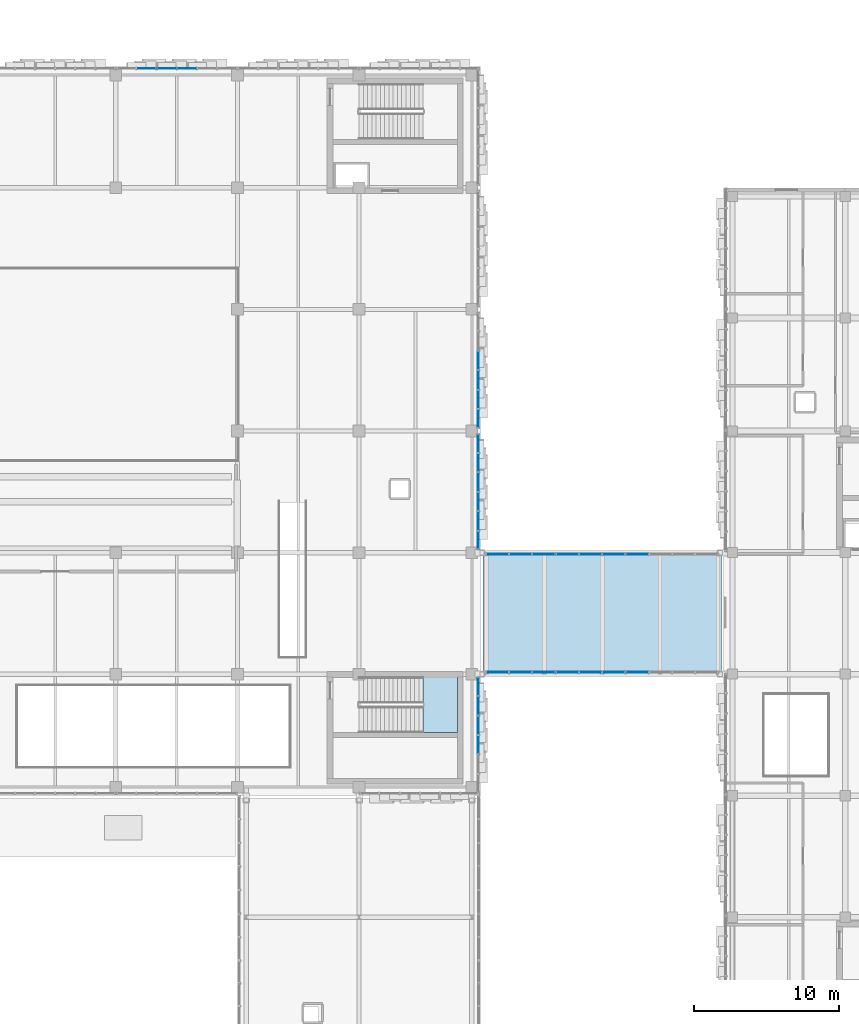
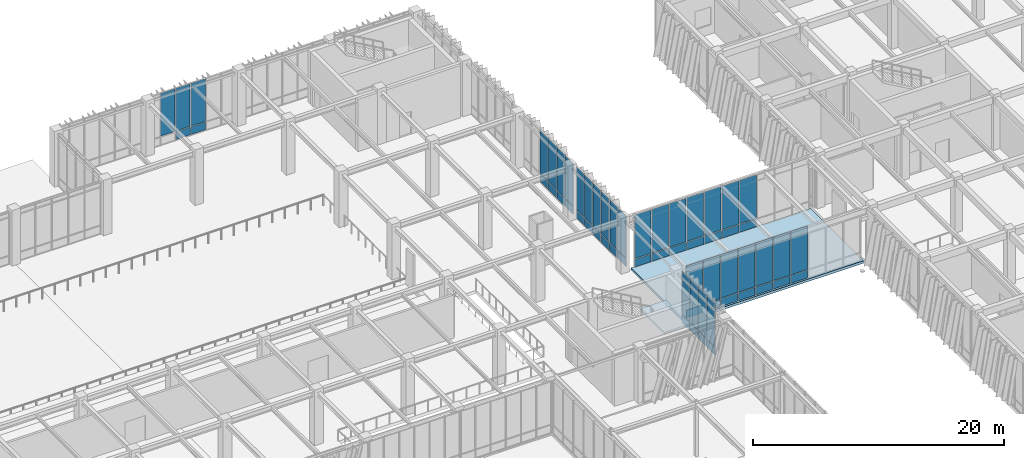
# One storey, part 95 of 139: 61 plates, 2 slabs, 7 elements without a shape of their own.
"""IFC4 building model written with IfcOpenShell, lengths in metres."""

from ifc_helpers import new_model, si_unit, direction, frame, origin, origin_2d, place, context, subcontext, project, spatial, polyline, rectangle, outline, extrude, material, layer, layer_set, type_object, element, aggregate, save


model = new_model("IFC4")

# Units and contexts
model_context = context("Model", 3, precision=1e-05, world=origin(), true_north=direction((0.0, 1.0)))
body_context = subcontext(model_context, "Body", "Model", "MODEL_VIEW")
ifc_project = project(units=[si_unit("LENGTHUNIT", "METRE"), si_unit("AREAUNIT", "SQUARE_METRE"), si_unit("VOLUMEUNIT", "CUBIC_METRE"), si_unit("PLANEANGLEUNIT", "RADIAN"), si_unit("MASSUNIT", "GRAM", prefix="KILO")], contexts=[model_context])

# Site, building, storey
site_placement = place(None, origin())
site = spatial("IfcSite", under=ifc_project, at=site_placement, CompositionType="ELEMENT")
building_placement = place(site_placement, origin())
building = spatial("IfcBuilding", under=site, at=building_placement, Name="Zayran Congress Hotel", CompositionType="ELEMENT")
storey_placement = place(building_placement, frame((0.0, 0.0, 5.39990234375)))
storey = spatial("IfcBuildingStorey", under=building, at=storey_placement, Name="L01", CompositionType="ELEMENT", Elevation=5.39990234375)

# Slab
ifc_material_1 = material(Name="Concrete C40/50", Category="concrete")
ifc_layer_1 = layer(ifc_material_1, 0.25)
ifc_layer_set_1 = layer_set([ifc_layer_1], Name="Concrete C40/50")
slab_type_1 = type_object("IfcSlabType", Name="SL-BR-250", PredefinedType="FLOOR", material=ifc_layer_set_1)
slab_1_placement = place(storey_placement, frame((0.0, 0.0, -0.25)))
element("IfcSlab", 1, at=slab_1_placement, inside=storey, type_object=slab_type_1, Name="North Congress Skybridge Deck Slab L01", PredefinedType="FLOOR", context=body_context, shape_type="SweptSolid", body=[
    extrude(outline(polyline([(92.550048828125, 76.0), (109.050048828125, 76.0), (109.050048828125, 84.39990234375), (92.550048828125, 84.39990234375), (92.550048828125, 76.0)])), origin(), (0.0, 0.0, 1.0), 0.25),
])

# Curtain wall, plates
ifc_material_2 = material(Name="Anodised aluminium and low-E insulated glass", Category="aluminium")
ifc_layer_2 = layer(ifc_material_2, 0.179931640625)
ifc_layer_set_2 = layer_set([ifc_layer_2], Name="Anodised aluminium and low-E insulated glass")
curtain_wall_type_1 = type_object("IfcCurtainWallType", Name="CW-V1N-L01-CW-22-8360-5080", PredefinedType="USERDEFINED", material=ifc_layer_set_2)
curtain_wall_1_placement = place(storey_placement, origin())
curtain_wall_1 = element("IfcCurtainWall", 2, at=curtain_wall_1_placement, inside=storey, type_object=curtain_wall_type_1, Name="CW-V1N-L01-7", ObjectType="CURTAIN WALL", PredefinedType="USERDEFINED")
ifc_layer_3 = layer(ifc_material_2, 0.028076171875)
ifc_layer_set_3 = layer_set([ifc_layer_3], Name="Anodised aluminium and low-E insulated glass")
plate_type_1 = type_object("IfcPlateType", Name="CWP-GL-1273-4150", PredefinedType="CURTAIN_PANEL", material=ifc_layer_set_3)
plate_1_placement = place(storey_placement, frame((72.0966796875, 117.85009765625, 0.8701171875), z_axis=(0.0, 0.0, 1.0), x_axis=(1.0, 0.0, 0.0)))
plate_1 = element("IfcPlate", 3, at=plate_1_placement, type_object=plate_type_1, Name="CW-22 Glazed Panel 3", PredefinedType="CURTAIN_PANEL", context=body_context, shape_type="SweptSolid", body=[
    extrude(rectangle(XDim=1.313232421875, YDim=0.028076171875, at=origin_2d()), origin(), (0.0, 0.0, 1.0), 4.14990234375),
])
plate_2_placement = place(storey_placement, frame((70.703369140625, 117.85009765625, 0.8701171875), z_axis=(0.0, 0.0, 1.0), x_axis=(1.0, 0.0, 0.0)))
plate_2 = element("IfcPlate", 4, at=plate_2_placement, type_object=plate_type_1, Name="CW-22 Glazed Panel 4", PredefinedType="CURTAIN_PANEL", context=body_context, shape_type="SweptSolid", body=[
    extrude(rectangle(XDim=1.313232421875, YDim=0.028076171875, at=origin_2d()), origin(), (0.0, 0.0, 1.0), 4.14990234375),
])
plate_3_placement = place(storey_placement, frame((69.31005859375, 117.85009765625, 0.8701171875), z_axis=(0.0, 0.0, 1.0), x_axis=(1.0, 0.0, 0.0)))
plate_3 = element("IfcPlate", 5, at=plate_3_placement, type_object=plate_type_1, Name="CW-22 Glazed Panel 5", PredefinedType="CURTAIN_PANEL", context=body_context, shape_type="SweptSolid", body=[
    extrude(rectangle(XDim=1.313232421875, YDim=0.028076171875, at=origin_2d()), origin(), (0.0, 0.0, 1.0), 4.14990234375),
])
ifc_material_3 = material(Name="Insulated warm bronze aluminium spandrel panel", Category="aluminium")
ifc_layer_4 = layer(ifc_material_3, 0.06005859375)
ifc_layer_set_4 = layer_set([ifc_layer_4], Name="Insulated warm bronze aluminium spandrel panel")
plate_type_2 = type_object("IfcPlateType", Name="CWP-SP-1273-750", PredefinedType="CURTAIN_PANEL", material=ifc_layer_set_4)
plate_4_placement = place(storey_placement, frame((72.0966796875, 117.85009765625, 0.06005859375), z_axis=(0.0, 0.0, 1.0), x_axis=(1.0, 0.0, 0.0)))
plate_4 = element("IfcPlate", 6, at=plate_4_placement, type_object=plate_type_2, Name="CW-22 Spandrel Panel 3", PredefinedType="CURTAIN_PANEL", context=body_context, shape_type="SweptSolid", body=[
    extrude(rectangle(XDim=1.313232421875, YDim=0.06005859375, at=origin_2d()), origin(), (0.0, 0.0, 1.0), 0.75),
])
plate_5_placement = place(storey_placement, frame((70.703369140625, 117.85009765625, 0.06005859375), z_axis=(0.0, 0.0, 1.0), x_axis=(1.0, 0.0, 0.0)))
plate_5 = element("IfcPlate", 7, at=plate_5_placement, type_object=plate_type_2, Name="CW-22 Spandrel Panel 4", PredefinedType="CURTAIN_PANEL", context=body_context, shape_type="SweptSolid", body=[
    extrude(rectangle(XDim=1.313232421875, YDim=0.06005859375, at=origin_2d()), origin(), (0.0, 0.0, 1.0), 0.75),
])
aggregate(curtain_wall_1, [plate_4, plate_1, plate_5, plate_2, plate_3])

ifc_layer_5 = layer(ifc_material_2, 0.179931640625)
ifc_layer_set_5 = layer_set([ifc_layer_5], Name="Anodised aluminium and low-E insulated glass")
curtain_wall_type_2 = type_object("IfcCurtainWallType", Name="CW-V1E-L01-CW-41-8040-5080", PredefinedType="USERDEFINED", material=ifc_layer_set_5)
curtain_wall_2_placement = place(storey_placement, origin())
curtain_wall_2 = element("IfcCurtainWall", 8, at=curtain_wall_2_placement, inside=storey, type_object=curtain_wall_type_2, Name="CW-V1E-L01-0", ObjectType="CURTAIN WALL", PredefinedType="USERDEFINED")
ifc_layer_6 = layer(ifc_material_2, 0.028076171875)
ifc_layer_set_6 = layer_set([ifc_layer_6], Name="Anodised aluminium and low-E insulated glass")
plate_type_3 = type_object("IfcPlateType", Name="CWP-GL-1220-4150", PredefinedType="CURTAIN_PANEL", material=ifc_layer_set_6)
plate_6_placement = place(storey_placement, frame((92.25, 71.1298828125, 0.8701171875), z_axis=(0.0, 0.0, 1.0), x_axis=(0.0, 1.0, 0.0)))
plate_6 = element("IfcPlate", 9, at=plate_6_placement, type_object=plate_type_3, Name="CW-41 Glazed Panel 3", PredefinedType="CURTAIN_PANEL", context=body_context, shape_type="SweptSolid", body=[
    extrude(rectangle(XDim=1.260009765625, YDim=0.028076171875, at=origin_2d()), origin(), (0.0, 0.0, 1.0), 4.14990234375),
])
plate_7_placement = place(storey_placement, frame((92.25, 72.469970703125, 0.8701171875), z_axis=(0.0, 0.0, 1.0), x_axis=(0.0, 1.0, 0.0)))
plate_7 = element("IfcPlate", 10, at=plate_7_placement, type_object=plate_type_3, Name="CW-41 Glazed Panel 4", PredefinedType="CURTAIN_PANEL", context=body_context, shape_type="SweptSolid", body=[
    extrude(rectangle(XDim=1.260009765625, YDim=0.028076171875, at=origin_2d()), origin(), (0.0, 0.0, 1.0), 4.14990234375),
])
plate_8_placement = place(storey_placement, frame((92.25, 73.81005859375, 0.8701171875), z_axis=(0.0, 0.0, 1.0), x_axis=(0.0, 1.0, 0.0)))
plate_8 = element("IfcPlate", 11, at=plate_8_placement, type_object=plate_type_3, Name="CW-41 Glazed Panel 5", PredefinedType="CURTAIN_PANEL", context=body_context, shape_type="SweptSolid", body=[
    extrude(rectangle(XDim=1.260009765625, YDim=0.028076171875, at=origin_2d()), origin(), (0.0, 0.0, 1.0), 4.14990234375),
])
plate_9_placement = place(storey_placement, frame((92.25, 75.1298828125, 0.8701171875), z_axis=(0.0, 0.0, 1.0), x_axis=(0.0, 1.0, 0.0)))
plate_9 = element("IfcPlate", 12, at=plate_9_placement, type_object=plate_type_3, Name="CW-41 Glazed Panel 6", PredefinedType="CURTAIN_PANEL", context=body_context, shape_type="SweptSolid", body=[
    extrude(rectangle(XDim=1.219970703125, YDim=0.028076171875, at=origin_2d()), origin(), (0.0, 0.0, 1.0), 4.14990234375),
])

curtain_wall_3_placement = place(storey_placement, origin())
curtain_wall_3 = element("IfcCurtainWall", 13, at=curtain_wall_3_placement, inside=storey, type_object=curtain_wall_type_2, Name="CW-V1E-L01-2", ObjectType="CURTAIN WALL", PredefinedType="USERDEFINED")
plate_10_placement = place(storey_placement, frame((92.25, 85.27001953125, 0.8701171875), z_axis=(0.0, 0.0, 1.0), x_axis=(0.0, 1.0, 0.0)))
plate_10 = element("IfcPlate", 14, at=plate_10_placement, type_object=plate_type_3, Name="CW-41 Glazed Panel 1", PredefinedType="CURTAIN_PANEL", context=body_context, shape_type="SweptSolid", body=[
    extrude(rectangle(XDim=1.219970703125, YDim=0.028076171875, at=origin_2d()), origin(), (0.0, 0.0, 1.0), 4.14990234375),
])
plate_11_placement = place(storey_placement, frame((92.25, 86.590087890625, 0.8701171875), z_axis=(0.0, 0.0, 1.0), x_axis=(0.0, 1.0, 0.0)))
plate_11 = element("IfcPlate", 15, at=plate_11_placement, type_object=plate_type_3, Name="CW-41 Glazed Panel 2", PredefinedType="CURTAIN_PANEL", context=body_context, shape_type="SweptSolid", body=[
    extrude(rectangle(XDim=1.260009765625, YDim=0.028076171875, at=origin_2d()), origin(), (0.0, 0.0, 1.0), 4.14990234375),
])
plate_12_placement = place(storey_placement, frame((92.25, 87.929931640625, 0.8701171875), z_axis=(0.0, 0.0, 1.0), x_axis=(0.0, 1.0, 0.0)))
plate_12 = element("IfcPlate", 16, at=plate_12_placement, type_object=plate_type_3, Name="CW-41 Glazed Panel 3", PredefinedType="CURTAIN_PANEL", context=body_context, shape_type="SweptSolid", body=[
    extrude(rectangle(XDim=1.260009765625, YDim=0.028076171875, at=origin_2d()), origin(), (0.0, 0.0, 1.0), 4.14990234375),
])
plate_13_placement = place(storey_placement, frame((92.25, 89.27001953125, 0.8701171875), z_axis=(0.0, 0.0, 1.0), x_axis=(0.0, 1.0, 0.0)))
plate_13 = element("IfcPlate", 17, at=plate_13_placement, type_object=plate_type_3, Name="CW-41 Glazed Panel 4", PredefinedType="CURTAIN_PANEL", context=body_context, shape_type="SweptSolid", body=[
    extrude(rectangle(XDim=1.260009765625, YDim=0.028076171875, at=origin_2d()), origin(), (0.0, 0.0, 1.0), 4.14990234375),
])
plate_14_placement = place(storey_placement, frame((92.25, 90.610107421875, 0.8701171875), z_axis=(0.0, 0.0, 1.0), x_axis=(0.0, 1.0, 0.0)))
plate_14 = element("IfcPlate", 18, at=plate_14_placement, type_object=plate_type_3, Name="CW-41 Glazed Panel 5", PredefinedType="CURTAIN_PANEL", context=body_context, shape_type="SweptSolid", body=[
    extrude(rectangle(XDim=1.260009765625, YDim=0.028076171875, at=origin_2d()), origin(), (0.0, 0.0, 1.0), 4.14990234375),
])
plate_15_placement = place(storey_placement, frame((92.25, 91.929931640625, 0.8701171875), z_axis=(0.0, 0.0, 1.0), x_axis=(0.0, 1.0, 0.0)))
plate_15 = element("IfcPlate", 19, at=plate_15_placement, type_object=plate_type_3, Name="CW-41 Glazed Panel 6", PredefinedType="CURTAIN_PANEL", context=body_context, shape_type="SweptSolid", body=[
    extrude(rectangle(XDim=1.219970703125, YDim=0.028076171875, at=origin_2d()), origin(), (0.0, 0.0, 1.0), 4.14990234375),
])

ifc_layer_7 = layer(ifc_material_2, 0.179931640625)
ifc_layer_set_7 = layer_set([ifc_layer_7], Name="Anodised aluminium and low-E insulated glass")
curtain_wall_type_3 = type_object("IfcCurtainWallType", Name="CW-V1E-L01-CW-42-8040-5080", PredefinedType="USERDEFINED", material=ifc_layer_set_7)
curtain_wall_4_placement = place(storey_placement, origin())
curtain_wall_4 = element("IfcCurtainWall", 20, at=curtain_wall_4_placement, inside=storey, type_object=curtain_wall_type_3, Name="CW-V1E-L01-3", ObjectType="CURTAIN WALL", PredefinedType="USERDEFINED")
plate_16_placement = place(storey_placement, frame((92.25, 93.669921875, 0.8701171875), z_axis=(0.0, 0.0, 1.0), x_axis=(0.0, 1.0, 0.0)))
plate_16 = element("IfcPlate", 21, at=plate_16_placement, type_object=plate_type_3, Name="CW-42 Glazed Panel 1", PredefinedType="CURTAIN_PANEL", context=body_context, shape_type="SweptSolid", body=[
    extrude(rectangle(XDim=1.219970703125, YDim=0.028076171875, at=origin_2d()), origin(), (0.0, 0.0, 1.0), 4.14990234375),
])
plate_17_placement = place(storey_placement, frame((92.25, 94.989990234375, 0.8701171875), z_axis=(0.0, 0.0, 1.0), x_axis=(0.0, 1.0, 0.0)))
plate_17 = element("IfcPlate", 22, at=plate_17_placement, type_object=plate_type_3, Name="CW-42 Glazed Panel 2", PredefinedType="CURTAIN_PANEL", context=body_context, shape_type="SweptSolid", body=[
    extrude(rectangle(XDim=1.260009765625, YDim=0.028076171875, at=origin_2d()), origin(), (0.0, 0.0, 1.0), 4.14990234375),
])
plate_18_placement = place(storey_placement, frame((92.25, 96.330078125, 0.8701171875), z_axis=(0.0, 0.0, 1.0), x_axis=(0.0, 1.0, 0.0)))
plate_18 = element("IfcPlate", 23, at=plate_18_placement, type_object=plate_type_3, Name="CW-42 Glazed Panel 3", PredefinedType="CURTAIN_PANEL", context=body_context, shape_type="SweptSolid", body=[
    extrude(rectangle(XDim=1.260009765625, YDim=0.028076171875, at=origin_2d()), origin(), (0.0, 0.0, 1.0), 4.14990234375),
])
plate_19_placement = place(storey_placement, frame((92.25, 97.669921875, 0.8701171875), z_axis=(0.0, 0.0, 1.0), x_axis=(0.0, 1.0, 0.0)))
plate_19 = element("IfcPlate", 24, at=plate_19_placement, type_object=plate_type_3, Name="CW-42 Glazed Panel 4", PredefinedType="CURTAIN_PANEL", context=body_context, shape_type="SweptSolid", body=[
    extrude(rectangle(XDim=1.260009765625, YDim=0.028076171875, at=origin_2d()), origin(), (0.0, 0.0, 1.0), 4.14990234375),
])

# Plate
ifc_layer_8 = layer(ifc_material_3, 0.06005859375)
ifc_layer_set_8 = layer_set([ifc_layer_8], Name="Insulated warm bronze aluminium spandrel panel")
plate_type_4 = type_object("IfcPlateType", Name="CWP-SP-1220-750", PredefinedType="CURTAIN_PANEL", material=ifc_layer_set_8)
plate_20_placement = place(storey_placement, frame((92.25, 71.1298828125, 0.06005859375), z_axis=(0.0, 0.0, 1.0), x_axis=(0.0, 1.0, 0.0)))
plate_20 = element("IfcPlate", 25, at=plate_20_placement, type_object=plate_type_4, Name="CW-41 Spandrel Panel 3", PredefinedType="CURTAIN_PANEL", context=body_context, shape_type="SweptSolid", body=[
    extrude(rectangle(XDim=1.260009765625, YDim=0.06005859375, at=origin_2d()), origin(), (0.0, 0.0, 1.0), 0.75),
])

plate_21_placement = place(storey_placement, frame((92.25, 72.469970703125, 0.06005859375), z_axis=(0.0, 0.0, 1.0), x_axis=(0.0, 1.0, 0.0)))
plate_21 = element("IfcPlate", 26, at=plate_21_placement, type_object=plate_type_4, Name="CW-41 Spandrel Panel 4", PredefinedType="CURTAIN_PANEL", context=body_context, shape_type="SweptSolid", body=[
    extrude(rectangle(XDim=1.260009765625, YDim=0.06005859375, at=origin_2d()), origin(), (0.0, 0.0, 1.0), 0.75),
])

plate_22_placement = place(storey_placement, frame((92.25, 73.81005859375, 0.06005859375), z_axis=(0.0, 0.0, 1.0), x_axis=(0.0, 1.0, 0.0)))
plate_22 = element("IfcPlate", 27, at=plate_22_placement, type_object=plate_type_4, Name="CW-41 Spandrel Panel 5", PredefinedType="CURTAIN_PANEL", context=body_context, shape_type="SweptSolid", body=[
    extrude(rectangle(XDim=1.260009765625, YDim=0.06005859375, at=origin_2d()), origin(), (0.0, 0.0, 1.0), 0.75),
])

plate_23_placement = place(storey_placement, frame((92.25, 75.1298828125, 0.06005859375), z_axis=(0.0, 0.0, 1.0), x_axis=(0.0, 1.0, 0.0)))
plate_23 = element("IfcPlate", 28, at=plate_23_placement, type_object=plate_type_4, Name="CW-41 Spandrel Panel 6", PredefinedType="CURTAIN_PANEL", context=body_context, shape_type="SweptSolid", body=[
    extrude(rectangle(XDim=1.219970703125, YDim=0.06005859375, at=origin_2d()), origin(), (0.0, 0.0, 1.0), 0.75),
])

aggregate(curtain_wall_2, [plate_20, plate_6, plate_21, plate_7, plate_22, plate_8, plate_23, plate_9])

plate_24_placement = place(storey_placement, frame((92.25, 85.27001953125, 0.06005859375), z_axis=(0.0, 0.0, 1.0), x_axis=(0.0, 1.0, 0.0)))
plate_24 = element("IfcPlate", 29, at=plate_24_placement, type_object=plate_type_4, Name="CW-41 Spandrel Panel 1", PredefinedType="CURTAIN_PANEL", context=body_context, shape_type="SweptSolid", body=[
    extrude(rectangle(XDim=1.219970703125, YDim=0.06005859375, at=origin_2d()), origin(), (0.0, 0.0, 1.0), 0.75),
])

plate_25_placement = place(storey_placement, frame((92.25, 86.590087890625, 0.06005859375), z_axis=(0.0, 0.0, 1.0), x_axis=(0.0, 1.0, 0.0)))
plate_25 = element("IfcPlate", 30, at=plate_25_placement, type_object=plate_type_4, Name="CW-41 Spandrel Panel 2", PredefinedType="CURTAIN_PANEL", context=body_context, shape_type="SweptSolid", body=[
    extrude(rectangle(XDim=1.260009765625, YDim=0.06005859375, at=origin_2d()), origin(), (0.0, 0.0, 1.0), 0.75),
])

plate_26_placement = place(storey_placement, frame((92.25, 87.929931640625, 0.06005859375), z_axis=(0.0, 0.0, 1.0), x_axis=(0.0, 1.0, 0.0)))
plate_26 = element("IfcPlate", 31, at=plate_26_placement, type_object=plate_type_4, Name="CW-41 Spandrel Panel 3", PredefinedType="CURTAIN_PANEL", context=body_context, shape_type="SweptSolid", body=[
    extrude(rectangle(XDim=1.260009765625, YDim=0.06005859375, at=origin_2d()), origin(), (0.0, 0.0, 1.0), 0.75),
])

plate_27_placement = place(storey_placement, frame((92.25, 89.27001953125, 0.06005859375), z_axis=(0.0, 0.0, 1.0), x_axis=(0.0, 1.0, 0.0)))
plate_27 = element("IfcPlate", 32, at=plate_27_placement, type_object=plate_type_4, Name="CW-41 Spandrel Panel 4", PredefinedType="CURTAIN_PANEL", context=body_context, shape_type="SweptSolid", body=[
    extrude(rectangle(XDim=1.260009765625, YDim=0.06005859375, at=origin_2d()), origin(), (0.0, 0.0, 1.0), 0.75),
])

plate_28_placement = place(storey_placement, frame((92.25, 90.610107421875, 0.06005859375), z_axis=(0.0, 0.0, 1.0), x_axis=(0.0, 1.0, 0.0)))
plate_28 = element("IfcPlate", 33, at=plate_28_placement, type_object=plate_type_4, Name="CW-41 Spandrel Panel 5", PredefinedType="CURTAIN_PANEL", context=body_context, shape_type="SweptSolid", body=[
    extrude(rectangle(XDim=1.260009765625, YDim=0.06005859375, at=origin_2d()), origin(), (0.0, 0.0, 1.0), 0.75),
])

plate_29_placement = place(storey_placement, frame((92.25, 91.929931640625, 0.06005859375), z_axis=(0.0, 0.0, 1.0), x_axis=(0.0, 1.0, 0.0)))
plate_29 = element("IfcPlate", 34, at=plate_29_placement, type_object=plate_type_4, Name="CW-41 Spandrel Panel 6", PredefinedType="CURTAIN_PANEL", context=body_context, shape_type="SweptSolid", body=[
    extrude(rectangle(XDim=1.219970703125, YDim=0.06005859375, at=origin_2d()), origin(), (0.0, 0.0, 1.0), 0.75),
])

aggregate(curtain_wall_3, [plate_24, plate_10, plate_25, plate_11, plate_26, plate_12, plate_27, plate_13, plate_28, plate_14, plate_29, plate_15])

plate_30_placement = place(storey_placement, frame((92.25, 93.669921875, 0.06005859375), z_axis=(0.0, 0.0, 1.0), x_axis=(0.0, 1.0, 0.0)))
plate_30 = element("IfcPlate", 35, at=plate_30_placement, type_object=plate_type_4, Name="CW-42 Spandrel Panel 1", PredefinedType="CURTAIN_PANEL", context=body_context, shape_type="SweptSolid", body=[
    extrude(rectangle(XDim=1.219970703125, YDim=0.06005859375, at=origin_2d()), origin(), (0.0, 0.0, 1.0), 0.75),
])

plate_31_placement = place(storey_placement, frame((92.25, 94.989990234375, 0.06005859375), z_axis=(0.0, 0.0, 1.0), x_axis=(0.0, 1.0, 0.0)))
plate_31 = element("IfcPlate", 36, at=plate_31_placement, type_object=plate_type_4, Name="CW-42 Spandrel Panel 2", PredefinedType="CURTAIN_PANEL", context=body_context, shape_type="SweptSolid", body=[
    extrude(rectangle(XDim=1.260009765625, YDim=0.06005859375, at=origin_2d()), origin(), (0.0, 0.0, 1.0), 0.75),
])

plate_32_placement = place(storey_placement, frame((92.25, 96.330078125, 0.06005859375), z_axis=(0.0, 0.0, 1.0), x_axis=(0.0, 1.0, 0.0)))
plate_32 = element("IfcPlate", 37, at=plate_32_placement, type_object=plate_type_4, Name="CW-42 Spandrel Panel 3", PredefinedType="CURTAIN_PANEL", context=body_context, shape_type="SweptSolid", body=[
    extrude(rectangle(XDim=1.260009765625, YDim=0.06005859375, at=origin_2d()), origin(), (0.0, 0.0, 1.0), 0.75),
])

plate_33_placement = place(storey_placement, frame((92.25, 97.669921875, 0.06005859375), z_axis=(0.0, 0.0, 1.0), x_axis=(0.0, 1.0, 0.0)))
plate_33 = element("IfcPlate", 38, at=plate_33_placement, type_object=plate_type_4, Name="CW-42 Spandrel Panel 4", PredefinedType="CURTAIN_PANEL", context=body_context, shape_type="SweptSolid", body=[
    extrude(rectangle(XDim=1.260009765625, YDim=0.06005859375, at=origin_2d()), origin(), (0.0, 0.0, 1.0), 0.75),
])

aggregate(curtain_wall_4, [plate_30, plate_16, plate_31, plate_17, plate_32, plate_18, plate_33, plate_19])

# Curtain wall, plates
ifc_layer_9 = layer(ifc_material_2, 0.179931640625)
ifc_layer_set_9 = layer_set([ifc_layer_9], Name="Anodised aluminium and low-E insulated glass")
curtain_wall_type_4 = type_object("IfcCurtainWallType", Name="CW-BR1-L01-CW-BR1-16100-5150", PredefinedType="USERDEFINED", material=ifc_layer_set_9)
curtain_wall_5_placement = place(storey_placement, origin())
curtain_wall_5 = element("IfcCurtainWall", 39, at=curtain_wall_5_placement, inside=storey, type_object=curtain_wall_type_4, Name="CW-BR1S-L01", ObjectType="CURTAIN WALL", PredefinedType="USERDEFINED")
ifc_layer_10 = layer(ifc_material_2, 0.028076171875)
ifc_layer_set_10 = layer_set([ifc_layer_10], Name="Anodised aluminium and low-E insulated glass")
plate_type_5 = type_object("IfcPlateType", Name="CWP-GL-1490-4220", PredefinedType="CURTAIN_PANEL", material=ifc_layer_set_10)
plate_34_placement = place(storey_placement, frame((93.574951171875, 76.1201171875, 0.8701171875), z_axis=(0.0, 0.0, 1.0), x_axis=(1.0, 0.0, 0.0)))
plate_34 = element("IfcPlate", 40, at=plate_34_placement, type_object=plate_type_5, Name="CW-BR1 Glazed Panel 1", PredefinedType="CURTAIN_PANEL", context=body_context, shape_type="SweptSolid", body=[
    extrude(rectangle(XDim=1.489990234375, YDim=0.028076171875, at=origin_2d()), origin(), (0.0, 0.0, 1.0), 4.219970703125),
])
plate_35_placement = place(storey_placement, frame((95.1650390625, 76.1201171875, 0.8701171875), z_axis=(0.0, 0.0, 1.0), x_axis=(1.0, 0.0, 0.0)))
plate_35 = element("IfcPlate", 41, at=plate_35_placement, type_object=plate_type_5, Name="CW-BR1 Glazed Panel 2", PredefinedType="CURTAIN_PANEL", context=body_context, shape_type="SweptSolid", body=[
    extrude(rectangle(XDim=1.530029296875, YDim=0.028076171875, at=origin_2d()), origin(), (0.0, 0.0, 1.0), 4.219970703125),
])
plate_36_placement = place(storey_placement, frame((96.77490234375, 76.1201171875, 0.8701171875), z_axis=(0.0, 0.0, 1.0), x_axis=(1.0, 0.0, 0.0)))
plate_36 = element("IfcPlate", 42, at=plate_36_placement, type_object=plate_type_5, Name="CW-BR1 Glazed Panel 3", PredefinedType="CURTAIN_PANEL", context=body_context, shape_type="SweptSolid", body=[
    extrude(rectangle(XDim=1.530029296875, YDim=0.028076171875, at=origin_2d()), origin(), (0.0, 0.0, 1.0), 4.219970703125),
])
plate_37_placement = place(storey_placement, frame((98.385009765625, 76.1201171875, 0.8701171875), z_axis=(0.0, 0.0, 1.0), x_axis=(1.0, 0.0, 0.0)))
plate_37 = element("IfcPlate", 43, at=plate_37_placement, type_object=plate_type_5, Name="CW-BR1 Glazed Panel 4", PredefinedType="CURTAIN_PANEL", context=body_context, shape_type="SweptSolid", body=[
    extrude(rectangle(XDim=1.530029296875, YDim=0.028076171875, at=origin_2d()), origin(), (0.0, 0.0, 1.0), 4.219970703125),
])
plate_38_placement = place(storey_placement, frame((99.9951171875, 76.1201171875, 0.8701171875), z_axis=(0.0, 0.0, 1.0), x_axis=(1.0, 0.0, 0.0)))
plate_38 = element("IfcPlate", 44, at=plate_38_placement, type_object=plate_type_5, Name="CW-BR1 Glazed Panel 5", PredefinedType="CURTAIN_PANEL", context=body_context, shape_type="SweptSolid", body=[
    extrude(rectangle(XDim=1.530029296875, YDim=0.028076171875, at=origin_2d()), origin(), (0.0, 0.0, 1.0), 4.219970703125),
])
plate_39_placement = place(storey_placement, frame((101.60498046875, 76.1201171875, 0.8701171875), z_axis=(0.0, 0.0, 1.0), x_axis=(1.0, 0.0, 0.0)))
plate_39 = element("IfcPlate", 45, at=plate_39_placement, type_object=plate_type_5, Name="CW-BR1 Glazed Panel 6", PredefinedType="CURTAIN_PANEL", context=body_context, shape_type="SweptSolid", body=[
    extrude(rectangle(XDim=1.530029296875, YDim=0.028076171875, at=origin_2d()), origin(), (0.0, 0.0, 1.0), 4.219970703125),
])
plate_40_placement = place(storey_placement, frame((103.215087890625, 76.1201171875, 0.8701171875), z_axis=(0.0, 0.0, 1.0), x_axis=(1.0, 0.0, 0.0)))
plate_40 = element("IfcPlate", 46, at=plate_40_placement, type_object=plate_type_5, Name="CW-BR1 Glazed Panel 7", PredefinedType="CURTAIN_PANEL", context=body_context, shape_type="SweptSolid", body=[
    extrude(rectangle(XDim=1.530029296875, YDim=0.028076171875, at=origin_2d()), origin(), (0.0, 0.0, 1.0), 4.219970703125),
])

curtain_wall_6_placement = place(storey_placement, origin())
curtain_wall_6 = element("IfcCurtainWall", 47, at=curtain_wall_6_placement, inside=storey, type_object=curtain_wall_type_4, Name="CW-BR1N-L01", ObjectType="CURTAIN WALL", PredefinedType="USERDEFINED")
plate_41_placement = place(storey_placement, frame((103.215087890625, 84.280029296875, 0.8701171875), z_axis=(0.0, 0.0, 1.0), x_axis=(1.0, 0.0, 0.0)))
plate_41 = element("IfcPlate", 48, at=plate_41_placement, type_object=plate_type_5, Name="CW-BR1 Glazed Panel 4", PredefinedType="CURTAIN_PANEL", context=body_context, shape_type="SweptSolid", body=[
    extrude(rectangle(XDim=1.530029296875, YDim=0.028076171875, at=origin_2d()), origin(), (0.0, 0.0, 1.0), 4.219970703125),
])
plate_42_placement = place(storey_placement, frame((101.60498046875, 84.280029296875, 0.8701171875), z_axis=(0.0, 0.0, 1.0), x_axis=(1.0, 0.0, 0.0)))
plate_42 = element("IfcPlate", 49, at=plate_42_placement, type_object=plate_type_5, Name="CW-BR1 Glazed Panel 5", PredefinedType="CURTAIN_PANEL", context=body_context, shape_type="SweptSolid", body=[
    extrude(rectangle(XDim=1.530029296875, YDim=0.028076171875, at=origin_2d()), origin(), (0.0, 0.0, 1.0), 4.219970703125),
])
plate_43_placement = place(storey_placement, frame((99.9951171875, 84.280029296875, 0.8701171875), z_axis=(0.0, 0.0, 1.0), x_axis=(1.0, 0.0, 0.0)))
plate_43 = element("IfcPlate", 50, at=plate_43_placement, type_object=plate_type_5, Name="CW-BR1 Glazed Panel 6", PredefinedType="CURTAIN_PANEL", context=body_context, shape_type="SweptSolid", body=[
    extrude(rectangle(XDim=1.530029296875, YDim=0.028076171875, at=origin_2d()), origin(), (0.0, 0.0, 1.0), 4.219970703125),
])
plate_44_placement = place(storey_placement, frame((98.385009765625, 84.280029296875, 0.8701171875), z_axis=(0.0, 0.0, 1.0), x_axis=(1.0, 0.0, 0.0)))
plate_44 = element("IfcPlate", 51, at=plate_44_placement, type_object=plate_type_5, Name="CW-BR1 Glazed Panel 7", PredefinedType="CURTAIN_PANEL", context=body_context, shape_type="SweptSolid", body=[
    extrude(rectangle(XDim=1.530029296875, YDim=0.028076171875, at=origin_2d()), origin(), (0.0, 0.0, 1.0), 4.219970703125),
])
plate_45_placement = place(storey_placement, frame((96.77490234375, 84.280029296875, 0.8701171875), z_axis=(0.0, 0.0, 1.0), x_axis=(1.0, 0.0, 0.0)))
plate_45 = element("IfcPlate", 52, at=plate_45_placement, type_object=plate_type_5, Name="CW-BR1 Glazed Panel 8", PredefinedType="CURTAIN_PANEL", context=body_context, shape_type="SweptSolid", body=[
    extrude(rectangle(XDim=1.530029296875, YDim=0.028076171875, at=origin_2d()), origin(), (0.0, 0.0, 1.0), 4.219970703125),
])
plate_46_placement = place(storey_placement, frame((95.1650390625, 84.280029296875, 0.8701171875), z_axis=(0.0, 0.0, 1.0), x_axis=(1.0, 0.0, 0.0)))
plate_46 = element("IfcPlate", 53, at=plate_46_placement, type_object=plate_type_5, Name="CW-BR1 Glazed Panel 9", PredefinedType="CURTAIN_PANEL", context=body_context, shape_type="SweptSolid", body=[
    extrude(rectangle(XDim=1.530029296875, YDim=0.028076171875, at=origin_2d()), origin(), (0.0, 0.0, 1.0), 4.219970703125),
])
plate_47_placement = place(storey_placement, frame((93.574951171875, 84.280029296875, 0.8701171875), z_axis=(0.0, 0.0, 1.0), x_axis=(1.0, 0.0, 0.0)))
plate_47 = element("IfcPlate", 54, at=plate_47_placement, type_object=plate_type_5, Name="CW-BR1 Glazed Panel 10", PredefinedType="CURTAIN_PANEL", context=body_context, shape_type="SweptSolid", body=[
    extrude(rectangle(XDim=1.489990234375, YDim=0.028076171875, at=origin_2d()), origin(), (0.0, 0.0, 1.0), 4.219970703125),
])

# Plate
ifc_layer_11 = layer(ifc_material_3, 0.06005859375)
ifc_layer_set_11 = layer_set([ifc_layer_11], Name="Insulated warm bronze aluminium spandrel panel")
plate_type_6 = type_object("IfcPlateType", Name="CWP-SP-1490-750", PredefinedType="CURTAIN_PANEL", material=ifc_layer_set_11)
plate_48_placement = place(storey_placement, frame((93.574951171875, 76.1201171875, 0.06005859375), z_axis=(0.0, 0.0, 1.0), x_axis=(1.0, 0.0, 0.0)))
plate_48 = element("IfcPlate", 55, at=plate_48_placement, type_object=plate_type_6, Name="CW-BR1 Spandrel Panel 1", PredefinedType="CURTAIN_PANEL", context=body_context, shape_type="SweptSolid", body=[
    extrude(rectangle(XDim=1.489990234375, YDim=0.06005859375, at=origin_2d()), origin(), (0.0, 0.0, 1.0), 0.75),
])

plate_49_placement = place(storey_placement, frame((95.1650390625, 76.1201171875, 0.06005859375), z_axis=(0.0, 0.0, 1.0), x_axis=(1.0, 0.0, 0.0)))
plate_49 = element("IfcPlate", 56, at=plate_49_placement, type_object=plate_type_6, Name="CW-BR1 Spandrel Panel 2", PredefinedType="CURTAIN_PANEL", context=body_context, shape_type="SweptSolid", body=[
    extrude(rectangle(XDim=1.530029296875, YDim=0.06005859375, at=origin_2d()), origin(), (0.0, 0.0, 1.0), 0.75),
])

plate_50_placement = place(storey_placement, frame((96.77490234375, 76.1201171875, 0.06005859375), z_axis=(0.0, 0.0, 1.0), x_axis=(1.0, 0.0, 0.0)))
plate_50 = element("IfcPlate", 57, at=plate_50_placement, type_object=plate_type_6, Name="CW-BR1 Spandrel Panel 3", PredefinedType="CURTAIN_PANEL", context=body_context, shape_type="SweptSolid", body=[
    extrude(rectangle(XDim=1.530029296875, YDim=0.06005859375, at=origin_2d()), origin(), (0.0, 0.0, 1.0), 0.75),
])

plate_51_placement = place(storey_placement, frame((98.385009765625, 76.1201171875, 0.06005859375), z_axis=(0.0, 0.0, 1.0), x_axis=(1.0, 0.0, 0.0)))
plate_51 = element("IfcPlate", 58, at=plate_51_placement, type_object=plate_type_6, Name="CW-BR1 Spandrel Panel 4", PredefinedType="CURTAIN_PANEL", context=body_context, shape_type="SweptSolid", body=[
    extrude(rectangle(XDim=1.530029296875, YDim=0.06005859375, at=origin_2d()), origin(), (0.0, 0.0, 1.0), 0.75),
])

plate_52_placement = place(storey_placement, frame((99.9951171875, 76.1201171875, 0.06005859375), z_axis=(0.0, 0.0, 1.0), x_axis=(1.0, 0.0, 0.0)))
plate_52 = element("IfcPlate", 59, at=plate_52_placement, type_object=plate_type_6, Name="CW-BR1 Spandrel Panel 5", PredefinedType="CURTAIN_PANEL", context=body_context, shape_type="SweptSolid", body=[
    extrude(rectangle(XDim=1.530029296875, YDim=0.06005859375, at=origin_2d()), origin(), (0.0, 0.0, 1.0), 0.75),
])

plate_53_placement = place(storey_placement, frame((101.60498046875, 76.1201171875, 0.06005859375), z_axis=(0.0, 0.0, 1.0), x_axis=(1.0, 0.0, 0.0)))
plate_53 = element("IfcPlate", 60, at=plate_53_placement, type_object=plate_type_6, Name="CW-BR1 Spandrel Panel 6", PredefinedType="CURTAIN_PANEL", context=body_context, shape_type="SweptSolid", body=[
    extrude(rectangle(XDim=1.530029296875, YDim=0.06005859375, at=origin_2d()), origin(), (0.0, 0.0, 1.0), 0.75),
])

plate_54_placement = place(storey_placement, frame((103.215087890625, 76.1201171875, 0.06005859375), z_axis=(0.0, 0.0, 1.0), x_axis=(1.0, 0.0, 0.0)))
plate_54 = element("IfcPlate", 61, at=plate_54_placement, type_object=plate_type_6, Name="CW-BR1 Spandrel Panel 7", PredefinedType="CURTAIN_PANEL", context=body_context, shape_type="SweptSolid", body=[
    extrude(rectangle(XDim=1.530029296875, YDim=0.06005859375, at=origin_2d()), origin(), (0.0, 0.0, 1.0), 0.75),
])

aggregate(curtain_wall_5, [plate_48, plate_34, plate_49, plate_35, plate_50, plate_36, plate_51, plate_37, plate_52, plate_38, plate_53, plate_39, plate_54, plate_40])

plate_55_placement = place(storey_placement, frame((103.215087890625, 84.280029296875, 0.06005859375), z_axis=(0.0, 0.0, 1.0), x_axis=(1.0, 0.0, 0.0)))
plate_55 = element("IfcPlate", 62, at=plate_55_placement, type_object=plate_type_6, Name="CW-BR1 Spandrel Panel 4", PredefinedType="CURTAIN_PANEL", context=body_context, shape_type="SweptSolid", body=[
    extrude(rectangle(XDim=1.530029296875, YDim=0.06005859375, at=origin_2d()), origin(), (0.0, 0.0, 1.0), 0.75),
])

plate_56_placement = place(storey_placement, frame((101.60498046875, 84.280029296875, 0.06005859375), z_axis=(0.0, 0.0, 1.0), x_axis=(1.0, 0.0, 0.0)))
plate_56 = element("IfcPlate", 63, at=plate_56_placement, type_object=plate_type_6, Name="CW-BR1 Spandrel Panel 5", PredefinedType="CURTAIN_PANEL", context=body_context, shape_type="SweptSolid", body=[
    extrude(rectangle(XDim=1.530029296875, YDim=0.06005859375, at=origin_2d()), origin(), (0.0, 0.0, 1.0), 0.75),
])

plate_57_placement = place(storey_placement, frame((99.9951171875, 84.280029296875, 0.06005859375), z_axis=(0.0, 0.0, 1.0), x_axis=(1.0, 0.0, 0.0)))
plate_57 = element("IfcPlate", 64, at=plate_57_placement, type_object=plate_type_6, Name="CW-BR1 Spandrel Panel 6", PredefinedType="CURTAIN_PANEL", context=body_context, shape_type="SweptSolid", body=[
    extrude(rectangle(XDim=1.530029296875, YDim=0.06005859375, at=origin_2d()), origin(), (0.0, 0.0, 1.0), 0.75),
])

plate_58_placement = place(storey_placement, frame((98.385009765625, 84.280029296875, 0.06005859375), z_axis=(0.0, 0.0, 1.0), x_axis=(1.0, 0.0, 0.0)))
plate_58 = element("IfcPlate", 65, at=plate_58_placement, type_object=plate_type_6, Name="CW-BR1 Spandrel Panel 7", PredefinedType="CURTAIN_PANEL", context=body_context, shape_type="SweptSolid", body=[
    extrude(rectangle(XDim=1.530029296875, YDim=0.06005859375, at=origin_2d()), origin(), (0.0, 0.0, 1.0), 0.75),
])

plate_59_placement = place(storey_placement, frame((96.77490234375, 84.280029296875, 0.06005859375), z_axis=(0.0, 0.0, 1.0), x_axis=(1.0, 0.0, 0.0)))
plate_59 = element("IfcPlate", 66, at=plate_59_placement, type_object=plate_type_6, Name="CW-BR1 Spandrel Panel 8", PredefinedType="CURTAIN_PANEL", context=body_context, shape_type="SweptSolid", body=[
    extrude(rectangle(XDim=1.530029296875, YDim=0.06005859375, at=origin_2d()), origin(), (0.0, 0.0, 1.0), 0.75),
])

plate_60_placement = place(storey_placement, frame((95.1650390625, 84.280029296875, 0.06005859375), z_axis=(0.0, 0.0, 1.0), x_axis=(1.0, 0.0, 0.0)))
plate_60 = element("IfcPlate", 67, at=plate_60_placement, type_object=plate_type_6, Name="CW-BR1 Spandrel Panel 9", PredefinedType="CURTAIN_PANEL", context=body_context, shape_type="SweptSolid", body=[
    extrude(rectangle(XDim=1.530029296875, YDim=0.06005859375, at=origin_2d()), origin(), (0.0, 0.0, 1.0), 0.75),
])

plate_61_placement = place(storey_placement, frame((93.574951171875, 84.280029296875, 0.06005859375), z_axis=(0.0, 0.0, 1.0), x_axis=(1.0, 0.0, 0.0)))
plate_61 = element("IfcPlate", 68, at=plate_61_placement, type_object=plate_type_6, Name="CW-BR1 Spandrel Panel 10", PredefinedType="CURTAIN_PANEL", context=body_context, shape_type="SweptSolid", body=[
    extrude(rectangle(XDim=1.489990234375, YDim=0.06005859375, at=origin_2d()), origin(), (0.0, 0.0, 1.0), 0.75),
])

aggregate(curtain_wall_6, [plate_55, plate_41, plate_56, plate_42, plate_57, plate_43, plate_58, plate_44, plate_59, plate_45, plate_60, plate_46, plate_61, plate_47])

# Stair, slab
ifc_material_4 = material(Name="Concrete C32/40", Category="concrete")
stair_type = type_object("IfcStairType", Name="TP-STR-1800-54", PredefinedType="USERDEFINED", material=ifc_material_4)
stair_placement = place(storey_placement, origin())
stair = element("IfcStair", 69, at=stair_placement, inside=storey, type_object=stair_type, Name="L01 ST-06", ObjectType="TWO_RETURN_STAIR", PredefinedType="USERDEFINED")
ifc_layer_12 = layer(ifc_material_4, 0.199951171875)
ifc_layer_set_12 = layer_set([ifc_layer_12], Name="Concrete C32/40")
slab_type_2 = type_object("IfcSlabType", Name="TP-LND-1800", PredefinedType="LANDING", material=ifc_layer_set_12)
slab_2_placement = place(storey_placement, frame((0.0, 0.0, 2.5)))
slab_2 = element("IfcSlab", 70, at=slab_2_placement, type_object=slab_type_2, Name="ST-06 landing 1", PredefinedType="LANDING", context=body_context, shape_type="SweptSolid", body=[
    extrude(outline(polyline([(88.425048828125, 71.9599609375), (90.800048828125, 71.9599609375), (90.800048828125, 75.800048828125), (88.425048828125, 75.800048828125), (88.425048828125, 71.9599609375)])), origin(), (0.0, 0.0, 1.0), 0.2001953125),
])
aggregate(stair, [slab_2])

save(model, "model.ifc")
